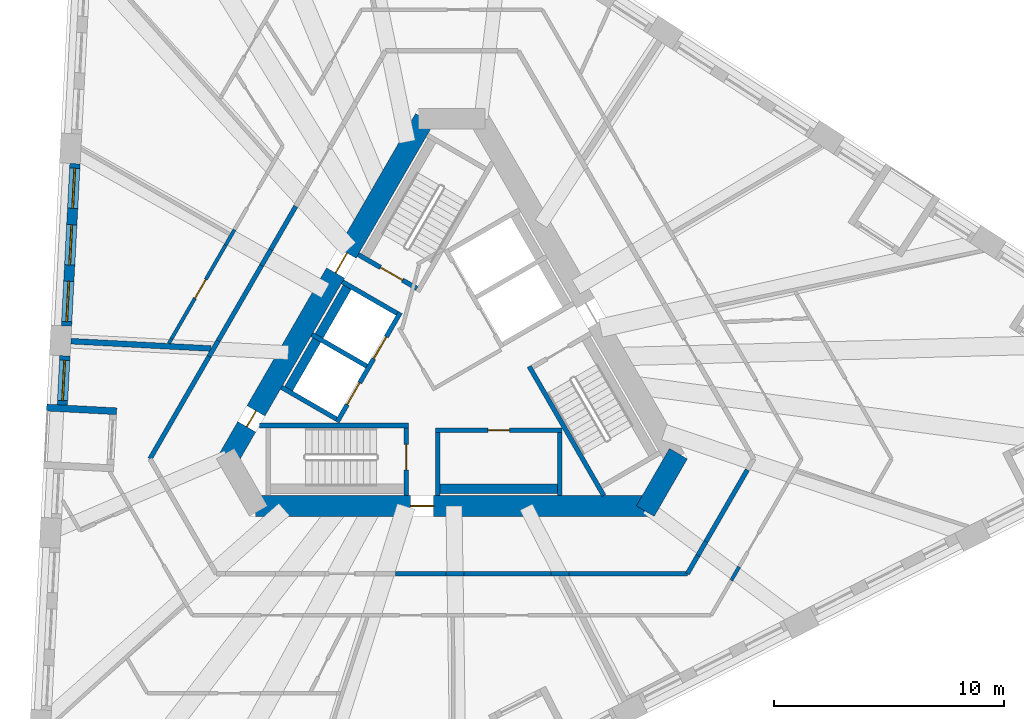
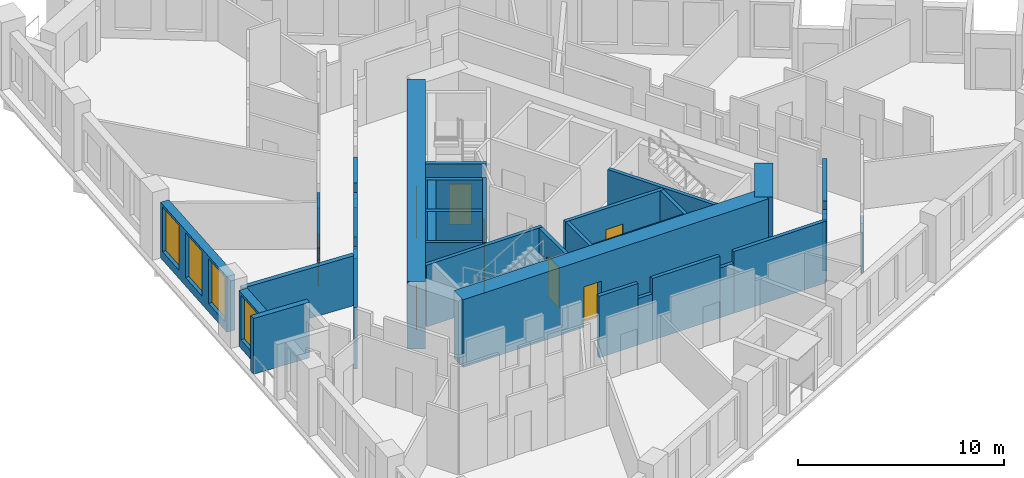
# One storey, part 4 of 12: 37 walls, 9 doors, 4 windows, 13 openings.
"""IFC4 building model written with IfcOpenShell, lengths in metres."""

from ifc_helpers import new_model, si_unit, direction, frame, frame_2d, origin, place, context, subcontext, project, spatial, rectangle, extrude, material, layer, layer_set, type_object, element, fill, save


model = new_model("IFC4")

# Units and contexts
model_context = context("Model", 3, precision=1e-05, world=origin(), true_north=direction((0.0, 1.0)))
body_context = subcontext(model_context, "Body", "Model", "MODEL_VIEW")
ifc_project = project(units=[si_unit("LENGTHUNIT", "METRE"), si_unit("AREAUNIT", "SQUARE_METRE"), si_unit("VOLUMEUNIT", "CUBIC_METRE"), si_unit("PLANEANGLEUNIT", "RADIAN"), si_unit("MASSUNIT", "GRAM", prefix="KILO")], contexts=[model_context])

# Site, building, storey
site_placement = place(None, origin())
site = spatial("IfcSite", under=ifc_project, at=site_placement, CompositionType="ELEMENT")
building_placement = place(site_placement, origin())
building = spatial("IfcBuilding", under=site, at=building_placement, Name="Tramontana Tower", CompositionType="ELEMENT")
storey_placement = place(building_placement, frame((0.0, 0.0, 133.60009765625)))
storey = spatial("IfcBuildingStorey", under=building, at=storey_placement, Name="L30", CompositionType="ELEMENT", Elevation=133.60009765625)

# Wall, openings, doors
ifc_material_1 = material(Name="Concrete 70 MPa", Category="concrete")
ifc_layer_1 = layer(ifc_material_1, 0.89990234375)
ifc_layer_set_1 = layer_set([ifc_layer_1], Name="Core wall 900 70 MPa")
wall_type_1 = type_object("IfcWallType", Name="Core wall 900 70 MPa", PredefinedType="SHEAR", material=ifc_layer_set_1)
wall_1_placement = place(storey_placement, frame((-1.18359375, 10.550048828125, 0.0), z_axis=(0.0, 0.0, 1.0), x_axis=(-0.500004814304, -0.866022624227, 0.0)))
wall_1 = element("IfcWall", 1, at=wall_1_placement, inside=storey, type_object=wall_type_1, Name="Core wall C1 L30", PredefinedType="SHEAR", context=body_context, shape_type="SweptSolid", body=[
    extrude(rectangle(XDim=17.089599609375, YDim=0.89990234375, at=frame_2d((8.544921875, 0.0))), origin(), (0.0, 0.0, 1.0), 4.0),
])
opening_1_placement = place(wall_1_placement, frame((6.749755859375, 0.0, 0.0)))
opening_1 = element("IfcOpeningElement", 2, at=opening_1_placement, cuts=wall_1, Name="Opening RG1", PredefinedType="OPENING", context=body_context, shape_type="SweptSolid", body=[
    extrude(rectangle(XDim=1.0, YDim=2.39990234375, at=frame_2d((0.5, 1.199951171875))), frame((0.0, 0.4599609375, 0.0), z_axis=(0.0, -1.0, 0.0), x_axis=(1.0, 0.0, 0.0)), (0.0, 0.0, 1.0), 0.919921875),
])
opening_2_placement = place(wall_1_placement, frame((14.678466796875, 0.0, 0.0)))
opening_2 = element("IfcOpeningElement", 3, at=opening_2_placement, cuts=wall_1, Name="Opening PD1", PredefinedType="OPENING", context=body_context, shape_type="SweptSolid", body=[
    extrude(rectangle(XDim=0.800048828125, YDim=2.10009765625, at=frame_2d((0.39990234375, 1.050048828125))), frame((0.0, 0.4599609375, 0.0), z_axis=(0.0, -1.0, 0.0), x_axis=(1.0, 0.0, 0.0)), (0.0, 0.0, 1.0), 0.919921875),
])
ifc_material_2 = material(Name="Painted steel", Category="steel")
door_type_1 = type_object("IfcDoorType", Name="CUPBOARD DOOR 800", OperationType="SINGLE_SWING_LEFT", PredefinedType="DOOR", material=ifc_material_2)
door_1_placement = place(opening_2_placement, origin())
door_1 = element("IfcDoor", 4, at=door_1_placement, inside=storey, type_object=door_type_1, Name="Door PD1", OperationType="SINGLE_SWING_RIGHT", OverallHeight=2.10009765625, OverallWidth=0.800048828125, PredefinedType="DOOR", context=body_context, shape_type="SweptSolid", body=[
    extrude(rectangle(XDim=0.800048828125, YDim=2.10009765625, at=frame_2d((0.39990234375, 1.050048828125))), frame((0.0, 0.02490234375, 0.0), z_axis=(0.0, -1.0, 0.0), x_axis=(1.0, 0.0, 0.0)), (0.0, 0.0, 1.0), 0.050048828125),
])
fill(opening_2, door_1)
ifc_material_3 = material(Name="Painted steel", Category="steel")
door_type_2 = type_object("IfcDoorType", Name="RING DOOR 1000", OperationType="SINGLE_SWING_LEFT", PredefinedType="DOOR", material=ifc_material_3)
door_2_placement = place(opening_1_placement, origin())
door_2 = element("IfcDoor", 5, at=door_2_placement, inside=storey, type_object=door_type_2, Name="Door RG1", OperationType="SINGLE_SWING_LEFT", OverallHeight=2.39990234375, OverallWidth=1.0, PredefinedType="DOOR", context=body_context, shape_type="SweptSolid", body=[
    extrude(rectangle(XDim=1.0, YDim=2.39990234375, at=frame_2d((0.5, 1.199951171875))), frame((0.0, 0.02490234375, 0.0), z_axis=(0.0, -1.0, 0.0), x_axis=(1.0, 0.0, 0.0)), (0.0, 0.0, 1.0), 0.050048828125),
])
fill(opening_1, door_2)

# Wall, opening, door
wall_2_placement = place(storey_placement, frame((-8.544921875, -6.300048828125, 0.0), z_axis=(0.0, 0.0, 1.0), x_axis=(1.0, 0.0, 0.0)))
wall_2 = element("IfcWall", 6, at=wall_2_placement, inside=storey, type_object=wall_type_1, Name="Core wall C3 L30", PredefinedType="SHEAR", context=body_context, shape_type="SweptSolid", body=[
    extrude(rectangle(XDim=17.08984375, YDim=0.89990234375, at=frame_2d((8.544921875, 0.0))), origin(), (0.0, 0.0, 1.0), 4.0),
])
opening_3_placement = place(wall_2_placement, frame((6.749755859375, 0.0, 0.0)))
opening_3 = element("IfcOpeningElement", 7, at=opening_3_placement, cuts=wall_2, Name="Opening RG2", PredefinedType="OPENING", context=body_context, shape_type="SweptSolid", body=[
    extrude(rectangle(XDim=1.0, YDim=2.39990234375, at=frame_2d((0.5, 1.199951171875))), frame((0.0, 0.4599609375, 0.0), z_axis=(0.0, -1.0, 0.0), x_axis=(1.0, 0.0, 0.0)), (0.0, 0.0, 1.0), 0.919921875),
])
door_3_placement = place(opening_3_placement, origin())
door_3 = element("IfcDoor", 8, at=door_3_placement, inside=storey, type_object=door_type_2, Name="Door RG2", OperationType="SINGLE_SWING_RIGHT", OverallHeight=2.39990234375, OverallWidth=1.0, PredefinedType="DOOR", context=body_context, shape_type="SweptSolid", body=[
    extrude(rectangle(XDim=1.0, YDim=2.39990234375, at=frame_2d((0.5, 1.199951171875))), frame((0.0, 0.02490234375, 0.0), z_axis=(0.0, -1.0, 0.0), x_axis=(1.0, 0.0, 0.0)), (0.0, 0.0, 1.0), 0.050048828125),
])
fill(opening_3, door_3)

# Walls
wall_3_placement = place(storey_placement, frame((8.414794921875, -6.52490234375, 0.0), z_axis=(0.0, 0.0, 1.0), x_axis=(0.500059191753, 0.865991226713, 0.0)))
element("IfcWall", 9, at=wall_3_placement, inside=storey, type_object=wall_type_1, Name="Core wall C4 L30", PredefinedType="SHEAR", context=body_context, shape_type="SweptSolid", body=[
    extrude(rectangle(XDim=2.886962890625, YDim=0.89990234375, at=frame_2d((1.443359375, 0.0))), origin(), (0.0, 0.0, 1.0), 4.0),
])
ifc_material_4 = material(Name="Blockwork", Category="masonry")
ifc_layer_2 = layer(ifc_material_4, 0.199951171875)
ifc_layer_set_2 = layer_set([ifc_layer_2], Name="ENTRY WALL 200")
wall_type_2 = type_object("IfcWallType", Name="ENTRY WALL 200", PredefinedType="SOLIDWALL", material=ifc_layer_set_2)
wall_4_placement = place(storey_placement, frame((12.858154296875, -4.729248046875, 0.0), z_axis=(0.0, 0.0, 1.0), x_axis=(-0.500031425827, -0.866007259314, 0.0)))
element("IfcWall", 10, at=wall_4_placement, inside=storey, type_object=wall_type_2, Name="Wall v30-ew1-1", PredefinedType="SOLIDWALL", context=body_context, shape_type="SweptSolid", body=[
    extrude(rectangle(XDim=3.602294921875, YDim=0.199951171875, at=frame_2d((1.80126953125, 0.0))), origin(), (0.0, 0.0, 1.0), 3.64990234375),
])
wall_5_placement = place(storey_placement, frame((11.056884765625, -7.848876953125, 0.0), z_axis=(0.0, 0.0, 1.0), x_axis=(-0.500012199891, -0.86601836006, 0.0)))
element("IfcWall", 11, at=wall_5_placement, inside=storey, type_object=wall_type_2, Name="Wall v30-ew1-2", PredefinedType="SOLIDWALL", context=body_context, shape_type="SweptSolid", body=[
    extrude(rectangle(XDim=0.705078125, YDim=0.199951171875, at=frame_2d((0.3525390625, 0.0))), origin(), (0.0, 0.0, 1.0), 2.949951171875),
])
wall_6_placement = place(storey_placement, frame((10.704345703125, -8.45947265625, 0.0), z_axis=(0.0, 0.0, 1.0), x_axis=(-0.499907684424, -0.866078695647, 0.0)))
element("IfcWall", 12, at=wall_6_placement, inside=storey, type_object=wall_type_2, Name="Wall v30-ew1-3", PredefinedType="SOLIDWALL", context=body_context, shape_type="SweptSolid", body=[
    extrude(rectangle(XDim=0.912841796875, YDim=0.199951171875, at=frame_2d((0.45654296875, 0.0))), origin(), (0.0, 0.0, 1.0), 3.64990234375),
])
wall_7_placement = place(storey_placement, frame((10.248046875, -9.25, 0.0), z_axis=(0.0, 0.0, 1.0), x_axis=(-1.0, 0.0, 0.0)))
element("IfcWall", 13, at=wall_7_placement, inside=storey, type_object=wall_type_2, Name="Wall v30-ew2-0", PredefinedType="SOLIDWALL", context=body_context, shape_type="SweptSolid", body=[
    extrude(rectangle(XDim=5.14208984375, YDim=0.199951171875, at=frame_2d((2.571044921875, 0.0))), origin(), (0.0, 0.0, 1.0), 3.64990234375),
])
wall_8_placement = place(storey_placement, frame((5.10595703125, -9.25, 0.0), z_axis=(0.0, 0.0, 1.0), x_axis=(-1.0, 0.0, 0.0)))
element("IfcWall", 14, at=wall_8_placement, inside=storey, type_object=wall_type_2, Name="Wall v30-ew2-1", PredefinedType="SOLIDWALL", context=body_context, shape_type="SweptSolid", body=[
    extrude(rectangle(XDim=0.78564453125, YDim=0.199951171875, at=frame_2d((0.392822265625, 0.0))), origin(), (0.0, 0.0, 1.0), 2.949951171875),
])
wall_9_placement = place(storey_placement, frame((4.3203125, -9.25, 0.0), z_axis=(0.0, 0.0, 1.0), x_axis=(-1.0, 0.0, 0.0)))
element("IfcWall", 15, at=wall_9_placement, inside=storey, type_object=wall_type_2, Name="Wall v30-ew2-2", PredefinedType="SOLIDWALL", context=body_context, shape_type="SweptSolid", body=[
    extrude(rectangle(XDim=3.783203125, YDim=0.199951171875, at=frame_2d((1.8916015625, 0.0))), origin(), (0.0, 0.0, 1.0), 3.64990234375),
])
wall_10_placement = place(storey_placement, frame((0.537109375, -9.25, 0.0), z_axis=(0.0, 0.0, 1.0), x_axis=(-1.0, 0.0, 0.0)))
element("IfcWall", 16, at=wall_10_placement, inside=storey, type_object=wall_type_2, Name="Wall v30-ew2-3", PredefinedType="SOLIDWALL", context=body_context, shape_type="SweptSolid", body=[
    extrude(rectangle(XDim=0.800048828125, YDim=0.199951171875, at=frame_2d((0.39990234375, 0.0))), origin(), (0.0, 0.0, 1.0), 2.75),
])
wall_11_placement = place(storey_placement, frame((-0.262939453125, -9.25, 0.0), z_axis=(0.0, 0.0, 1.0), x_axis=(-1.0, 0.0, 0.0)))
element("IfcWall", 17, at=wall_11_placement, inside=storey, type_object=wall_type_2, Name="Wall v30-ew2-4", PredefinedType="SOLIDWALL", context=body_context, shape_type="SweptSolid", body=[
    extrude(rectangle(XDim=2.17822265625, YDim=0.199951171875, at=frame_2d((1.089111328125, 0.0))), origin(), (0.0, 0.0, 1.0), 3.64990234375),
])
wall_12_placement = place(storey_placement, frame((-13.134765625, -4.25, 0.0), z_axis=(0.0, 0.0, 1.0), x_axis=(0.50000466804, 0.866022708674, 0.0)))
element("IfcWall", 18, at=wall_12_placement, inside=storey, type_object=wall_type_2, Name="Wall v30-ew4-0", PredefinedType="SOLIDWALL", context=body_context, shape_type="SweptSolid", body=[
    extrude(rectangle(XDim=5.14208984375, YDim=0.199951171875, at=frame_2d((2.571044921875, 0.0))), origin(), (0.0, 0.0, 1.0), 3.64990234375),
])
wall_13_placement = place(storey_placement, frame((-10.563720703125, 0.203125, 0.0), z_axis=(0.0, 0.0, 1.0), x_axis=(0.499982474044, 0.866035522163, 0.0)))
element("IfcWall", 19, at=wall_13_placement, inside=storey, type_object=wall_type_2, Name="Wall v30-ew4-1", PredefinedType="SOLIDWALL", context=body_context, shape_type="SweptSolid", body=[
    extrude(rectangle(XDim=0.78564453125, YDim=0.199951171875, at=frame_2d((0.392822265625, 0.0))), origin(), (0.0, 0.0, 1.0), 2.949951171875),
])
wall_14_placement = place(storey_placement, frame((-10.1708984375, 0.883544921875, 0.0), z_axis=(0.0, 0.0, 1.0), x_axis=(0.499998034377, 0.866026538634, 0.0)))
element("IfcWall", 20, at=wall_14_placement, inside=storey, type_object=wall_type_2, Name="Wall v30-ew4-2", PredefinedType="SOLIDWALL", context=body_context, shape_type="SweptSolid", body=[
    extrude(rectangle(XDim=3.783203125, YDim=0.199951171875, at=frame_2d((1.8916015625, 0.0))), origin(), (0.0, 0.0, 1.0), 3.64990234375),
])
wall_15_placement = place(storey_placement, frame((-8.279296875, 4.159912109375, 0.0), z_axis=(0.0, 0.0, 1.0), x_axis=(0.500109828528, 0.865961984968, 0.0)))
element("IfcWall", 21, at=wall_15_placement, inside=storey, type_object=wall_type_2, Name="Wall v30-ew4-3", PredefinedType="SOLIDWALL", context=body_context, shape_type="SweptSolid", body=[
    extrude(rectangle(XDim=0.800048828125, YDim=0.199951171875, at=frame_2d((0.39990234375, 0.0))), origin(), (0.0, 0.0, 1.0), 2.75),
])
wall_16_placement = place(storey_placement, frame((-7.879150390625, 4.852783203125, 0.0), z_axis=(0.0, 0.0, 1.0), x_axis=(0.499948868167, 0.866054922749, 0.0)))
element("IfcWall", 22, at=wall_16_placement, inside=storey, type_object=wall_type_2, Name="Wall v30-ew4-4", PredefinedType="SOLIDWALL", context=body_context, shape_type="SweptSolid", body=[
    extrude(rectangle(XDim=2.177978515625, YDim=0.199951171875, at=frame_2d((1.0888671875, 0.0))), origin(), (0.0, 0.0, 1.0), 3.64990234375),
])

# Wall, openings, windows
ifc_material_5 = material(Name="Precast concrete 60 MPa", Category="concrete")
ifc_layer_3 = layer(ifc_material_5, 0.449951171875)
ifc_layer_set_3 = layer_set([ifc_layer_3], Name="Precast concrete 60 MPa, 450 mm")
wall_type_3 = type_object("IfcWallType", Name="EW1 Stone-faced precast wall 450", PredefinedType="SOLIDWALL", material=ifc_layer_set_3)
wall_17_placement = place(storey_placement, frame((-16.397705078125, 8.591552734375, 0.0), z_axis=(0.0, 0.0, 1.0), x_axis=(-0.052337766399, -0.998629439887, 0.0)))
wall_17 = element("IfcWall", 23, at=wall_17_placement, inside=storey, type_object=wall_type_3, Name="External wall L30 face 0 bay 3", PredefinedType="SOLIDWALL", context=body_context, shape_type="SweptSolid", body=[
    extrude(rectangle(XDim=7.07177734375, YDim=0.449951171875, at=frame_2d((3.535888671875, 0.0))), origin(), (0.0, 0.0, 1.0), 3.2998046875),
])
opening_4_placement = place(wall_17_placement, frame((0.1953125, 0.0, 0.5)))
opening_4 = element("IfcOpeningElement", 24, at=opening_4_placement, cuts=wall_17, Name="Opening M2", PredefinedType="OPENING", context=body_context, shape_type="SweptSolid", body=[
    extrude(rectangle(XDim=1.75, YDim=2.64990234375, at=frame_2d((0.875, 1.324951171875))), frame((0.0, 0.23486328125, 0.0), z_axis=(0.0, -1.0, 0.0), x_axis=(1.0, 0.0, 0.0)), (0.0, 0.0, 1.0), 0.469970703125),
])
opening_5_placement = place(wall_17_placement, frame((2.660888671875, 0.0, 0.5)))
opening_5 = element("IfcOpeningElement", 25, at=opening_5_placement, cuts=wall_17, Name="Opening M2", PredefinedType="OPENING", context=body_context, shape_type="SweptSolid", body=[
    extrude(rectangle(XDim=1.75, YDim=2.64990234375, at=frame_2d((0.875, 1.324951171875))), frame((0.0, 0.23486328125, 0.0), z_axis=(0.0, -1.0, 0.0), x_axis=(1.0, 0.0, 0.0)), (0.0, 0.0, 1.0), 0.469970703125),
])
opening_6_placement = place(wall_17_placement, frame((5.126220703125, 0.0, 0.5)))
opening_6 = element("IfcOpeningElement", 26, at=opening_6_placement, cuts=wall_17, Name="Opening M2", PredefinedType="OPENING", context=body_context, shape_type="SweptSolid", body=[
    extrude(rectangle(XDim=1.75, YDim=2.64990234375, at=frame_2d((0.875, 1.324951171875))), frame((0.0, 0.23486328125, 0.0), z_axis=(0.0, -1.0, 0.0), x_axis=(1.0, 0.0, 0.0)), (0.0, 0.0, 1.0), 0.469970703125),
])
ifc_material_6 = material(Name="Aluminum frame, double glazing unit", Category="aluminium")
window_type = type_object("IfcWindowType", Name="M2 Window 1.75 x 2.65", PartitioningType="SINGLE_PANEL", PredefinedType="WINDOW", material=ifc_material_6)
window_1_placement = place(opening_4_placement, origin())
window_1 = element("IfcWindow", 27, at=window_1_placement, inside=storey, type_object=window_type, Name="Window M2 L30 face 0 module 7", OverallHeight=2.64990234375, OverallWidth=1.75, PartitioningType="SINGLE_PANEL", PredefinedType="WINDOW", context=body_context, shape_type="SweptSolid", body=[
    extrude(rectangle(XDim=1.75, YDim=2.64990234375, at=frame_2d((0.875, 1.324951171875))), frame((0.0, 0.030029296875, 0.0), z_axis=(0.0, -1.0, 0.0), x_axis=(1.0, 0.0, 0.0)), (0.0, 0.0, 1.0), 0.06005859375),
])
fill(opening_4, window_1)
window_2_placement = place(opening_5_placement, origin())
window_2 = element("IfcWindow", 28, at=window_2_placement, inside=storey, type_object=window_type, Name="Window M2 L30 face 0 module 8", OverallHeight=2.64990234375, OverallWidth=1.75, PartitioningType="SINGLE_PANEL", PredefinedType="WINDOW", context=body_context, shape_type="SweptSolid", body=[
    extrude(rectangle(XDim=1.75, YDim=2.64990234375, at=frame_2d((0.875, 1.324951171875))), frame((0.0, 0.030029296875, 0.0), z_axis=(0.0, -1.0, 0.0), x_axis=(1.0, 0.0, 0.0)), (0.0, 0.0, 1.0), 0.06005859375),
])
fill(opening_5, window_2)
window_3_placement = place(opening_6_placement, origin())
window_3 = element("IfcWindow", 29, at=window_3_placement, inside=storey, type_object=window_type, Name="Window M2 L30 face 0 module 9", OverallHeight=2.64990234375, OverallWidth=1.75, PartitioningType="SINGLE_PANEL", PredefinedType="WINDOW", context=body_context, shape_type="SweptSolid", body=[
    extrude(rectangle(XDim=1.75, YDim=2.64990234375, at=frame_2d((0.875, 1.324951171875))), frame((0.0, 0.030029296875, 0.0), z_axis=(0.0, -1.0, 0.0), x_axis=(1.0, 0.0, 0.0)), (0.0, 0.0, 1.0), 0.06005859375),
])
fill(opening_6, window_3)

# Wall, opening, window
wall_18_placement = place(storey_placement, frame((-16.8359375, 0.2314453125, 0.0), z_axis=(0.0, 0.0, 1.0), x_axis=(-0.05234931875, -0.998628834366, 0.0)))
wall_18 = element("IfcWall", 30, at=wall_18_placement, inside=storey, type_object=wall_type_3, Name="External wall L30 face 0 bay 4", PredefinedType="SOLIDWALL", context=body_context, shape_type="SweptSolid", body=[
    extrude(rectangle(XDim=2.140625, YDim=0.449951171875, at=frame_2d((1.0703125, 0.0))), origin(), (0.0, 0.0, 1.0), 3.2998046875),
])
opening_7_placement = place(wall_18_placement, frame((0.1953125, 0.0, 0.5)))
opening_7 = element("IfcOpeningElement", 31, at=opening_7_placement, cuts=wall_18, Name="Opening M2", PredefinedType="OPENING", context=body_context, shape_type="SweptSolid", body=[
    extrude(rectangle(XDim=1.75, YDim=2.64990234375, at=frame_2d((0.875, 1.324951171875))), frame((0.0, 0.23486328125, 0.0), z_axis=(0.0, -1.0, 0.0), x_axis=(1.0, 0.0, 0.0)), (0.0, 0.0, 1.0), 0.469970703125),
])
window_4_placement = place(opening_7_placement, origin())
window_4 = element("IfcWindow", 32, at=window_4_placement, inside=storey, type_object=window_type, Name="Window M2 L30 face 0 module 10", OverallHeight=2.64990234375, OverallWidth=1.75, PartitioningType="SINGLE_PANEL", PredefinedType="WINDOW", context=body_context, shape_type="SweptSolid", body=[
    extrude(rectangle(XDim=1.75, YDim=2.64990234375, at=frame_2d((0.875, 1.324951171875))), frame((0.0, 0.030029296875, 0.0), z_axis=(0.0, -1.0, 0.0), x_axis=(1.0, 0.0, 0.0)), (0.0, 0.0, 1.0), 0.06005859375),
])
fill(opening_7, window_4)

# Walls
ifc_material_7 = material(Name="Precast concrete 60 MPa", Category="concrete")
ifc_layer_4 = layer(ifc_material_7, 0.300048828125)
ifc_layer_set_4 = layer_set([ifc_layer_4], Name="LW1 Stone-faced loggia wall 300")
wall_type_4 = type_object("IfcWallType", Name="LW1 Stone-faced loggia wall 300", PredefinedType="SOLIDWALL", material=ifc_layer_set_4)
wall_19_placement = place(storey_placement, frame((-17.6298828125, -2.0205078125, 0.0), z_axis=(0.0, 0.0, 1.0), x_axis=(0.99862886304, -0.052348771756, 0.0)))
element("IfcWall", 33, at=wall_19_placement, inside=storey, type_object=wall_type_4, Name="Loggia return L30 G3S0.10a", PredefinedType="SOLIDWALL", context=body_context, shape_type="SweptSolid", body=[
    extrude(rectangle(XDim=3.050048828125, YDim=0.300048828125, at=frame_2d((1.52490234375, 0.0))), origin(), (0.0, 0.0, 1.0), 3.2998046875),
])
ifc_material_8 = material(Name="Gypsum board partition")
ifc_layer_5 = layer(ifc_material_8, 0.14990234375)
ifc_layer_set_5 = layer_set([ifc_layer_5], Name="PARTITION 150")
wall_type_5 = type_object("IfcWallType", Name="PARTITION 150", PredefinedType="PARTITIONING", material=ifc_layer_set_5)
wall_20_placement = place(storey_placement, frame((-12.314453125, 0.7705078125, 0.0), z_axis=(0.0, 0.0, 1.0), x_axis=(0.4996633593, 0.866219676164, 0.0)))
element("IfcWall", 34, at=wall_20_placement, inside=storey, type_object=wall_type_5, Name="Wall v30-pw04-0", PredefinedType="PARTITIONING", context=body_context, shape_type="SweptSolid", body=[
    extrude(rectangle(XDim=0.238525390625, YDim=0.14990234375, at=frame_2d((0.119140625, 0.0))), origin(), (0.0, 0.0, 1.0), 2.949951171875),
])

# Wall, opening, door
wall_21_placement = place(storey_placement, frame((-12.1953125, 0.97705078125, 0.0), z_axis=(0.0, 0.0, 1.0), x_axis=(0.499993726502, 0.86602902576, 0.0)))
wall_21 = element("IfcWall", 35, at=wall_21_placement, inside=storey, type_object=wall_type_5, Name="Wall v30-pw04-1", PredefinedType="PARTITIONING", context=body_context, shape_type="SweptSolid", body=[
    extrude(rectangle(XDim=4.7001953125, YDim=0.14990234375, at=frame_2d((2.35009765625, 0.0))), origin(), (0.0, 0.0, 1.0), 3.64990234375),
])
opening_8_placement = place(wall_21_placement, frame((2.030029296875, 0.0, 0.0)))
opening_8 = element("IfcOpeningElement", 36, at=opening_8_placement, cuts=wall_21, Name="Opening B3A-06", PredefinedType="OPENING", context=body_context, shape_type="SweptSolid", body=[
    extrude(rectangle(XDim=0.949951171875, YDim=2.39990234375, at=frame_2d((0.47509765625, 1.199951171875))), frame((0.0, 0.0849609375, 0.0), z_axis=(0.0, -1.0, 0.0), x_axis=(1.0, 0.0, 0.0)), (0.0, 0.0, 1.0), 0.169921875),
])
ifc_material_9 = material(Name="Painted timber", Category="wood")
door_type_3 = type_object("IfcDoorType", Name="DOOR ROOM 950", OperationType="SINGLE_SWING_LEFT", PredefinedType="DOOR", material=ifc_material_9)
door_4_placement = place(opening_8_placement, origin())
door_4 = element("IfcDoor", 37, at=door_4_placement, inside=storey, type_object=door_type_3, Name="Door B3A-06", OperationType="SINGLE_SWING_RIGHT", OverallHeight=2.39990234375, OverallWidth=0.949951171875, PredefinedType="DOOR", context=body_context, shape_type="SweptSolid", body=[
    extrude(rectangle(XDim=0.949951171875, YDim=2.39990234375, at=frame_2d((0.47509765625, 1.199951171875))), frame((0.0, 0.02490234375, 0.0), z_axis=(0.0, -1.0, 0.0), x_axis=(1.0, 0.0, 0.0)), (0.0, 0.0, 1.0), 0.050048828125),
])
fill(opening_8, door_4)

# Walls
wall_22_placement = place(storey_placement, frame((-9.84521484375, 5.047607421875, 0.0), z_axis=(0.0, 0.0, 1.0), x_axis=(0.499967891604, 0.866043940782, 0.0)))
element("IfcWall", 38, at=wall_22_placement, inside=storey, type_object=wall_type_5, Name="Wall v30-pw04-2", PredefinedType="PARTITIONING", context=body_context, shape_type="SweptSolid", body=[
    extrude(rectangle(XDim=0.77490234375, YDim=0.14990234375, at=frame_2d((0.387451171875, 0.0))), origin(), (0.0, 0.0, 1.0), 2.75),
])
wall_23_placement = place(storey_placement, frame((12.501220703125, -8.947021484375, 0.0), z_axis=(0.0, 0.0, 1.0), x_axis=(-0.499846793097, -0.866113839764, 0.0)))
element("IfcWall", 39, at=wall_23_placement, inside=storey, type_object=wall_type_5, Name="Wall v30-pw32-3", PredefinedType="PARTITIONING", context=body_context, shape_type="SweptSolid", body=[
    extrude(rectangle(XDim=0.679931640625, YDim=0.14990234375, at=frame_2d((0.33984375, 0.0))), origin(), (0.0, 0.0, 1.0), 2.949951171875),
])
ifc_material_10 = material(Name="Blockwork", Category="masonry")
ifc_layer_6 = layer(ifc_material_10, 0.25)
ifc_layer_set_6 = layer_set([ifc_layer_6], Name="PARTY WALL 250")
wall_type_6 = type_object("IfcWallType", Name="PARTY WALL 250", PredefinedType="SOLIDWALL", material=ifc_layer_set_6)
wall_24_placement = place(storey_placement, frame((-10.479248046875, 0.54931640625, 0.0), z_axis=(0.0, 0.0, 1.0), x_axis=(-0.998629511984, 0.052336390727, 0.0)))
element("IfcWall", 40, at=wall_24_placement, inside=storey, type_object=wall_type_6, Name="Wall v30-pw06-0", PredefinedType="SOLIDWALL", context=body_context, shape_type="SweptSolid", body=[
    extrude(rectangle(XDim=6.106201171875, YDim=0.25, at=frame_2d((3.05322265625, 0.0))), origin(), (0.0, 0.0, 1.0), 2.949951171875),
])
ifc_material_11 = material(Name="Concrete 70 MPa", Category="concrete")
ifc_layer_7 = layer(ifc_material_11, 0.39990234375)
ifc_layer_set_7 = layer_set([ifc_layer_7], Name="Concrete 70 MPa, 400 mm")
wall_type_7 = type_object("IfcWallType", Name="RC SHAFT BACK WALL 400", PredefinedType="SOLIDWALL", material=ifc_layer_set_7)
for number, where, z_axis, x_axis, name in (
    (41, (-4.451416015625, 3.389892578125, 0.0), (0.0, 0.0, 1.0), (-0.499996545922, -0.866027397988, 0.0), "Wall row0-back"),
    (42, (-0.7099609375, -5.550048828125, 0.0), (0.0, 0.0, 1.0), (1.0, 0.0, 0.0), "Wall row1-back"),
):
    element("IfcWall", number, at=place(storey_placement, frame(where, z_axis=z_axis, x_axis=x_axis)), inside=storey, type_object=wall_type_7, Name=name, PredefinedType="SOLIDWALL", context=body_context, shape_type="SweptSolid", body=[
        extrude(rectangle(XDim=5.5, YDim=0.39990234375, at=frame_2d((2.75, 0.0))), origin(), (0.0, 0.0, 1.0), 3.64990234375),
    ])

# Wall, opening, door
ifc_material_12 = material(Name="Concrete 70 MPa", Category="concrete")
ifc_layer_8 = layer(ifc_material_12, 0.199951171875)
ifc_layer_set_8 = layer_set([ifc_layer_8], Name="Concrete 70 MPa, 200 mm")
wall_type_8 = type_object("IfcWallType", Name="RC STAIR AND SHAFT WALL 200", PredefinedType="SOLIDWALL", material=ifc_layer_set_8)
wall_25_placement = place(storey_placement, frame((-1.521484375, 3.164794921875, 0.0), z_axis=(0.0, 0.0, 1.0), x_axis=(-0.866039495442, 0.49997559174, 0.0)))
wall_25 = element("IfcWall", 43, at=wall_25_placement, inside=storey, type_object=wall_type_8, Name="Wall st1-near", PredefinedType="SOLIDWALL", context=body_context, shape_type="SweptSolid", body=[
    extrude(rectangle(XDim=2.949951171875, YDim=0.199951171875, at=frame_2d((1.47509765625, 0.0))), origin(), (0.0, 0.0, 1.0), 3.64990234375),
])
opening_9_placement = place(wall_25_placement, frame((0.72509765625, 0.0, 0.0)))
opening_9 = element("IfcOpeningElement", 44, at=opening_9_placement, cuts=wall_25, Name="Opening SD1", PredefinedType="OPENING", context=body_context, shape_type="SweptSolid", body=[
    extrude(rectangle(XDim=1.10009765625, YDim=2.39990234375, at=frame_2d((0.550048828125, 1.199951171875))), frame((0.0, 0.10986328125, 0.0), z_axis=(0.0, -1.0, 0.0), x_axis=(1.0, 0.0, 0.0)), (0.0, 0.0, 1.0), 0.219970703125),
])
ifc_material_13 = material(Name="Painted steel", Category="steel")
door_type_4 = type_object("IfcDoorType", Name="STAIR DOOR 1100", OperationType="SINGLE_SWING_LEFT", PredefinedType="DOOR", material=ifc_material_13)
door_5_placement = place(opening_9_placement, origin())
door_5 = element("IfcDoor", 45, at=door_5_placement, inside=storey, type_object=door_type_4, Name="Door SD1", OperationType="SINGLE_SWING_RIGHT", OverallHeight=2.39990234375, OverallWidth=1.10009765625, PredefinedType="DOOR", context=body_context, shape_type="SweptSolid", body=[
    extrude(rectangle(XDim=1.10009765625, YDim=2.39990234375, at=frame_2d((0.550048828125, 1.199951171875))), frame((0.0, 0.02490234375, 0.0), z_axis=(0.0, -1.0, 0.0), x_axis=(1.0, 0.0, 0.0)), (0.0, 0.0, 1.0), 0.050048828125),
])
fill(opening_9, door_5)

# Wall
wall_26_placement = place(storey_placement, frame((-8.37158203125, -2.800048828125, 0.0), z_axis=(0.0, 0.0, 1.0), x_axis=(1.0, 0.0, 0.0)))
element("IfcWall", 46, at=wall_26_placement, inside=storey, type_object=wall_type_8, Name="Wall st2-front", PredefinedType="SOLIDWALL", context=body_context, shape_type="SweptSolid", body=[
    extrude(rectangle(XDim=6.49169921875, YDim=0.199951171875, at=frame_2d((3.245849609375, 0.0))), origin(), (0.0, 0.0, 1.0), 3.64990234375),
])

# Wall, opening, door
wall_27_placement = place(storey_placement, frame((-1.97998046875, -2.89990234375, 0.0), z_axis=(0.0, 0.0, 1.0), x_axis=(0.0, -1.0, 0.0)))
wall_27 = element("IfcWall", 47, at=wall_27_placement, inside=storey, type_object=wall_type_8, Name="Wall st2-near", PredefinedType="SOLIDWALL", context=body_context, shape_type="SweptSolid", body=[
    extrude(rectangle(XDim=2.9501953125, YDim=0.199951171875, at=frame_2d((1.47509765625, 0.0))), origin(), (0.0, 0.0, 1.0), 3.64990234375),
])
opening_10_placement = place(wall_27_placement, frame((0.72509765625, 0.0, 0.0)))
opening_10 = element("IfcOpeningElement", 48, at=opening_10_placement, cuts=wall_27, Name="Opening SD2", PredefinedType="OPENING", context=body_context, shape_type="SweptSolid", body=[
    extrude(rectangle(XDim=1.10009765625, YDim=2.39990234375, at=frame_2d((0.550048828125, 1.199951171875))), frame((0.0, 0.10986328125, 0.0), z_axis=(0.0, -1.0, 0.0), x_axis=(1.0, 0.0, 0.0)), (0.0, 0.0, 1.0), 0.219970703125),
])
door_6_placement = place(opening_10_placement, origin())
door_6 = element("IfcDoor", 49, at=door_6_placement, inside=storey, type_object=door_type_4, Name="Door SD2", OperationType="SINGLE_SWING_LEFT", OverallHeight=2.39990234375, OverallWidth=1.10009765625, PredefinedType="DOOR", context=body_context, shape_type="SweptSolid", body=[
    extrude(rectangle(XDim=1.10009765625, YDim=2.39990234375, at=frame_2d((0.550048828125, 1.199951171875))), frame((0.0, 0.02490234375, 0.0), z_axis=(0.0, -1.0, 0.0), x_axis=(1.0, 0.0, 0.0)), (0.0, 0.0, 1.0), 0.050048828125),
])
fill(opening_10, door_6)

# Wall
wall_28_placement = place(storey_placement, frame((6.610595703125, -5.85009765625, 0.0), z_axis=(0.0, 0.0, 1.0), x_axis=(-0.499965531574, 0.866045303225, 0.0)))
element("IfcWall", 50, at=wall_28_placement, inside=storey, type_object=wall_type_8, Name="Wall st3-front", PredefinedType="SOLIDWALL", context=body_context, shape_type="SweptSolid", body=[
    extrude(rectangle(XDim=6.49169921875, YDim=0.199951171875, at=frame_2d((3.245849609375, 0.0))), origin(), (0.0, 0.0, 1.0), 3.64990234375),
])

# Wall, openings, doors
wall_29_placement = place(storey_placement, frame((-2.2431640625, 2.114990234375, 0.0), z_axis=(0.0, 0.0, 1.0), x_axis=(-0.499996545922, -0.866027397988, 0.0)))
wall_29 = element("IfcWall", 51, at=wall_29_placement, inside=storey, type_object=wall_type_8, Name="Wall row0-front", PredefinedType="SOLIDWALL", context=body_context, shape_type="SweptSolid", body=[
    extrude(rectangle(XDim=5.5, YDim=0.199951171875, at=frame_2d((2.75, 0.0))), origin(), (0.0, 0.0, 1.0), 3.64990234375),
])
opening_11_placement = place(wall_29_placement, frame((1.219970703125, 0.0, 0.0)))
opening_11 = element("IfcOpeningElement", 52, at=opening_11_placement, cuts=wall_29, Name="Opening LD-P1", PredefinedType="OPENING", context=body_context, shape_type="SweptSolid", body=[
    extrude(rectangle(XDim=1.10009765625, YDim=2.10009765625, at=frame_2d((0.550048828125, 1.050048828125))), frame((0.0, 0.10986328125, 0.0), z_axis=(0.0, -1.0, 0.0), x_axis=(1.0, 0.0, 0.0)), (0.0, 0.0, 1.0), 0.219970703125),
])
opening_12_placement = place(wall_29_placement, frame((3.52490234375, 0.0, 0.0)))
opening_12 = element("IfcOpeningElement", 53, at=opening_12_placement, cuts=wall_29, Name="Opening LD-P2", PredefinedType="OPENING", context=body_context, shape_type="SweptSolid", body=[
    extrude(rectangle(XDim=1.10009765625, YDim=2.10009765625, at=frame_2d((0.550048828125, 1.050048828125))), frame((0.0, 0.10986328125, 0.0), z_axis=(0.0, -1.0, 0.0), x_axis=(1.0, 0.0, 0.0)), (0.0, 0.0, 1.0), 0.219970703125),
])
ifc_material_14 = material(Name="Brushed steel", Category="steel")
door_type_5 = type_object("IfcDoorType", Name="LANDING DOOR 1100", OperationType="SINGLE_SWING_LEFT", PredefinedType="DOOR", material=ifc_material_14)
door_7_placement = place(opening_11_placement, origin())
door_7 = element("IfcDoor", 54, at=door_7_placement, inside=storey, type_object=door_type_5, Name="Door LD-P1", OperationType="SLIDING_TO_LEFT", OverallHeight=2.10009765625, OverallWidth=1.10009765625, PredefinedType="DOOR", context=body_context, shape_type="SweptSolid", body=[
    extrude(rectangle(XDim=1.10009765625, YDim=2.10009765625, at=frame_2d((0.550048828125, 1.050048828125))), frame((0.0, 0.02490234375, 0.0), z_axis=(0.0, -1.0, 0.0), x_axis=(1.0, 0.0, 0.0)), (0.0, 0.0, 1.0), 0.050048828125),
])
fill(opening_11, door_7)
door_8_placement = place(opening_12_placement, origin())
door_8 = element("IfcDoor", 55, at=door_8_placement, inside=storey, type_object=door_type_5, Name="Door LD-P2", OperationType="SLIDING_TO_RIGHT", OverallHeight=2.10009765625, OverallWidth=1.10009765625, PredefinedType="DOOR", context=body_context, shape_type="SweptSolid", body=[
    extrude(rectangle(XDim=1.10009765625, YDim=2.10009765625, at=frame_2d((0.550048828125, 1.050048828125))), frame((0.0, 0.02490234375, 0.0), z_axis=(0.0, -1.0, 0.0), x_axis=(1.0, 0.0, 0.0)), (0.0, 0.0, 1.0), 0.050048828125),
])
fill(opening_12, door_8)

# Walls
for number, where, z_axis, x_axis, name in (
    (56, (-2.379638671875, 2.078369140625, 0.0), (0.0, 0.0, 1.0), (-0.866027397988, 0.499996545922, 0.0), "Wall row0-side0"),
    (57, (-3.70458984375, -0.216796875, 0.0), (0.0, 0.0, 1.0), (-0.866027397988, 0.499996545922, 0.0), "Wall row0-side1"),
):
    element("IfcWall", number, at=place(storey_placement, frame(where, z_axis=z_axis, x_axis=x_axis)), inside=storey, type_object=wall_type_8, Name=name, PredefinedType="SOLIDWALL", context=body_context, shape_type="SweptSolid", body=[
        extrude(rectangle(XDim=2.75, YDim=0.199951171875, at=frame_2d((1.375, 0.0))), origin(), (0.0, 0.0, 1.0), 3.64990234375),
    ])
wall_30_placement = place(storey_placement, frame((-5.02978515625, -2.51171875, 0.0), z_axis=(0.0, 0.0, 1.0), x_axis=(-0.866005201286, 0.500034990121, 0.0)))
element("IfcWall", 58, at=wall_30_placement, inside=storey, type_object=wall_type_8, Name="Wall row0-side2", PredefinedType="SOLIDWALL", context=body_context, shape_type="SweptSolid", body=[
    extrude(rectangle(XDim=2.749755859375, YDim=0.199951171875, at=frame_2d((1.375, 0.0))), origin(), (0.0, 0.0, 1.0), 3.64990234375),
])

# Wall, opening, door
wall_31_placement = place(storey_placement, frame((4.7900390625, -3.0, 0.0), z_axis=(0.0, 0.0, 1.0), x_axis=(-1.0, 0.0, 0.0)))
wall_31 = element("IfcWall", 59, at=wall_31_placement, inside=storey, type_object=wall_type_8, Name="Wall row1-front", PredefinedType="SOLIDWALL", context=body_context, shape_type="SweptSolid", body=[
    extrude(rectangle(XDim=5.5, YDim=0.199951171875, at=frame_2d((2.75, 0.0))), origin(), (0.0, 0.0, 1.0), 3.64990234375),
])
opening_13_placement = place(wall_31_placement, frame((2.27490234375, 0.0, 0.0)))
opening_13 = element("IfcOpeningElement", 60, at=opening_13_placement, cuts=wall_31, Name="Opening RD-1", PredefinedType="OPENING", context=body_context, shape_type="SweptSolid", body=[
    extrude(rectangle(XDim=0.949951171875, YDim=2.39990234375, at=frame_2d((0.47509765625, 1.199951171875))), frame((0.0, 0.10986328125, 0.0), z_axis=(0.0, -1.0, 0.0), x_axis=(1.0, 0.0, 0.0)), (0.0, 0.0, 1.0), 0.219970703125),
])
door_9_placement = place(opening_13_placement, origin())
door_9 = element("IfcDoor", 61, at=door_9_placement, inside=storey, type_object=door_type_3, Name="Door RD-1", OperationType="SINGLE_SWING_LEFT", OverallHeight=2.39990234375, OverallWidth=0.949951171875, PredefinedType="DOOR", context=body_context, shape_type="SweptSolid", body=[
    extrude(rectangle(XDim=0.949951171875, YDim=2.39990234375, at=frame_2d((0.47509765625, 1.199951171875))), frame((0.0, 0.02490234375, 0.0), z_axis=(0.0, -1.0, 0.0), x_axis=(1.0, 0.0, 0.0)), (0.0, 0.0, 1.0), 0.050048828125),
])
fill(opening_13, door_9)

# Walls
for number, where, z_axis, x_axis, name in (
    (62, (-0.610107421875, -3.10009765625, 0.0), (0.0, 0.0, 1.0), (0.0, -1.0, 0.0), "Wall row1-side0"),
    (63, (4.68994140625, -3.10009765625, 0.0), (0.0, 0.0, 1.0), (0.0, -1.0, 0.0), "Wall row1-side2"),
):
    element("IfcWall", number, at=place(storey_placement, frame(where, z_axis=z_axis, x_axis=x_axis)), inside=storey, type_object=wall_type_8, Name=name, PredefinedType="SOLIDWALL", context=body_context, shape_type="SweptSolid", body=[
        extrude(rectangle(XDim=2.75, YDim=0.199951171875, at=frame_2d((1.375, 0.0))), origin(), (0.0, 0.0, 1.0), 3.64990234375),
    ])

save(model, "model.ifc")
